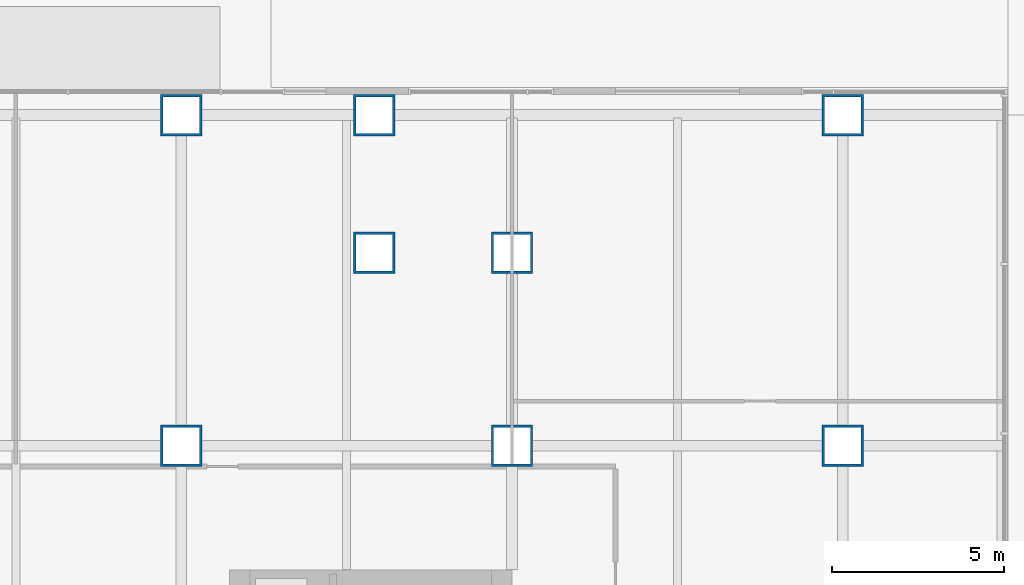
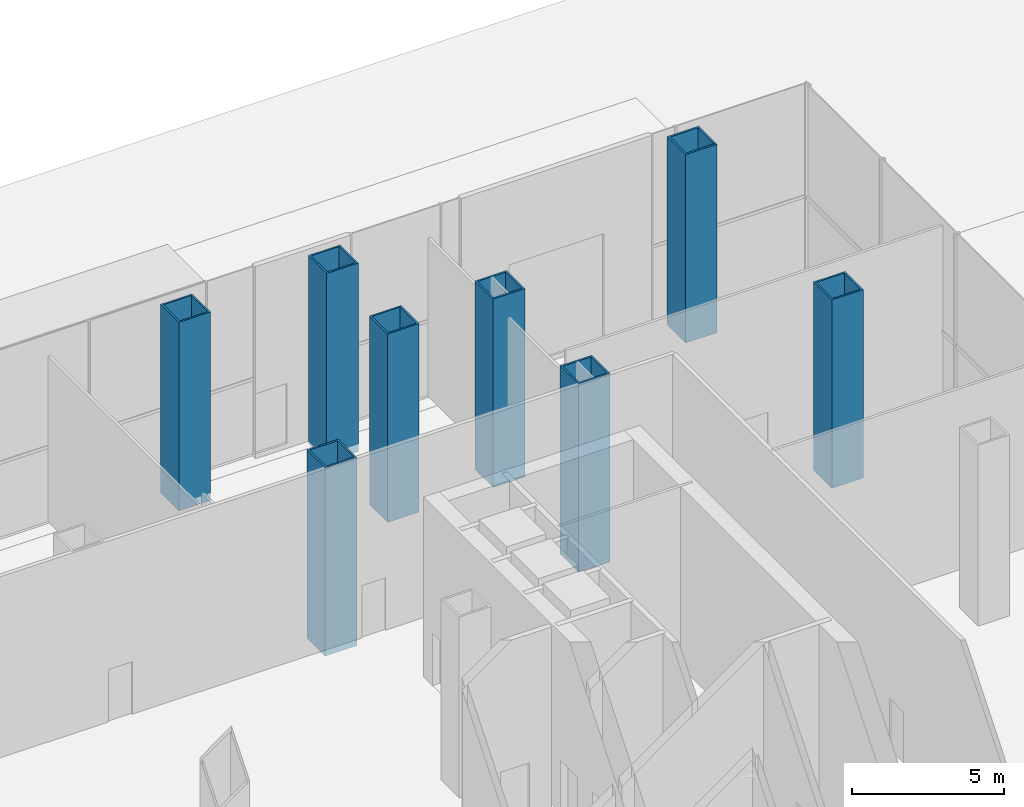
# One storey, part 7 of 36: 8 columns.
"""IFC4 building model written with IfcOpenShell, lengths in metres."""

from ifc_helpers import new_model, si_unit, direction, frame, origin, origin_2d, place, context, subcontext, project, spatial, hollow_rectangle, extrude, material, material_profile, profile_set, type_object, element, save


model = new_model("IFC4")

# Units and contexts
model_context = context("Model", 3, precision=1e-05, world=origin(), true_north=direction((0.0, 1.0)))
body_context = subcontext(model_context, "Body", "Model", "MODEL_VIEW")
ifc_project = project(units=[si_unit("LENGTHUNIT", "METRE"), si_unit("AREAUNIT", "SQUARE_METRE"), si_unit("VOLUMEUNIT", "CUBIC_METRE"), si_unit("PLANEANGLEUNIT", "RADIAN"), si_unit("MASSUNIT", "GRAM", prefix="KILO")], contexts=[model_context])

# Site, building, storey
site_placement = place(None, origin())
site = spatial("IfcSite", under=ifc_project, at=site_placement, CompositionType="ELEMENT")
building_placement = place(site_placement, origin())
building = spatial("IfcBuilding", under=site, at=building_placement, Name="Cobrizo Arcos Hotel Tower", CompositionType="ELEMENT")
storey_placement = place(building_placement, origin())
storey = spatial("IfcBuildingStorey", under=building, at=storey_placement, Name="L00", CompositionType="ELEMENT", Elevation=0.0)

# Columns
ifc_material = material(Name="Steel ASTM A572 Grade 50", Category="steel")
ifc_material_profile_1 = material_profile(ifc_material, hollow_rectangle(XDim=1.199951171875, YDim=1.199951171875, WallThickness=0.070068359375, at=origin_2d()), Name="BOX 1200X1200X70")
ifc_profile_set_1 = profile_set([ifc_material_profile_1], Name="Steel ASTM A572 Grade 50")
column_type_1 = type_object("IfcColumnType", Name="BOX 1200X1200X70 column", PredefinedType="COLUMN", material=ifc_profile_set_1)
for number, where, z_axis, x_axis, name in (
    (1, (14.39990234375, 24.0, -0.300048828125), (0.0, 0.0, 1.0), (1.0, 0.0, 0.0), "Perimeter column C1, L00, no. 15"),
    (2, (20.0, 24.0, -0.300048828125), (0.0, 0.0, 1.0), (1.0, 0.0, 0.0), "Perimeter column C1, L00, no. 17"),
    (3, (33.60009765625, 14.39990234375, -0.300048828125), (0.0, 0.0, 1.0), (1.0, 0.0, 0.0), "Perimeter column C1, L00, no. 22"),
    (4, (33.60009765625, 24.0, -0.300048828125), (0.0, 0.0, 1.0), (1.0, 0.0, 0.0), "Perimeter column C1, L00, no. 23"),
):
    element("IfcColumn", number, at=place(storey_placement, frame(where, z_axis=z_axis, x_axis=x_axis)), inside=storey, type_object=column_type_1, Name=name, PredefinedType="COLUMN", context=body_context, shape_type="SweptSolid", body=[
        extrude(hollow_rectangle(XDim=1.199951171875, YDim=1.199951171875, WallThickness=0.070068359375, at=origin_2d()), origin(), (0.0, 0.0, 1.0), 7.550048828125),
    ])
ifc_material_profile_2 = material_profile(ifc_material, hollow_rectangle(XDim=1.199951171875, YDim=1.199951171875, WallThickness=0.070068359375, at=origin_2d()), Name="BOX 1200X1200X70")
ifc_profile_set_2 = profile_set([ifc_material_profile_2], Name="Steel ASTM A572 Grade 50")
column_type_2 = type_object("IfcColumnType", Name="BOX 1200X1200X70 interior column", PredefinedType="COLUMN", material=ifc_profile_set_2)
for number, where, z_axis, x_axis, name in (
    (5, (14.39990234375, 14.39990234375, -0.300048828125), (0.0, 0.0, 1.0), (1.0, 0.0, 0.0), "Interior column C2, L00, no. 21"),
    (6, (20.0, 20.0, -0.300048828125), (0.0, 0.0, 1.0), (1.0, 0.0, 0.0), "Interior column C2, L00, no. 23"),
    (7, (24.0, 14.39990234375, -0.300048828125), (0.0, 0.0, 1.0), (1.0, 0.0, 0.0), "Interior column C2, L00, no. 26"),
    (8, (24.0, 20.0, -0.300048828125), (0.0, 0.0, 1.0), (1.0, 0.0, 0.0), "Interior column C2, L00, no. 27"),
):
    element("IfcColumn", number, at=place(storey_placement, frame(where, z_axis=z_axis, x_axis=x_axis)), inside=storey, type_object=column_type_2, Name=name, PredefinedType="COLUMN", context=body_context, shape_type="SweptSolid", body=[
        extrude(hollow_rectangle(XDim=1.199951171875, YDim=1.199951171875, WallThickness=0.070068359375, at=origin_2d()), origin(), (0.0, 0.0, 1.0), 7.550048828125),
    ])

save(model, "model.ifc")
